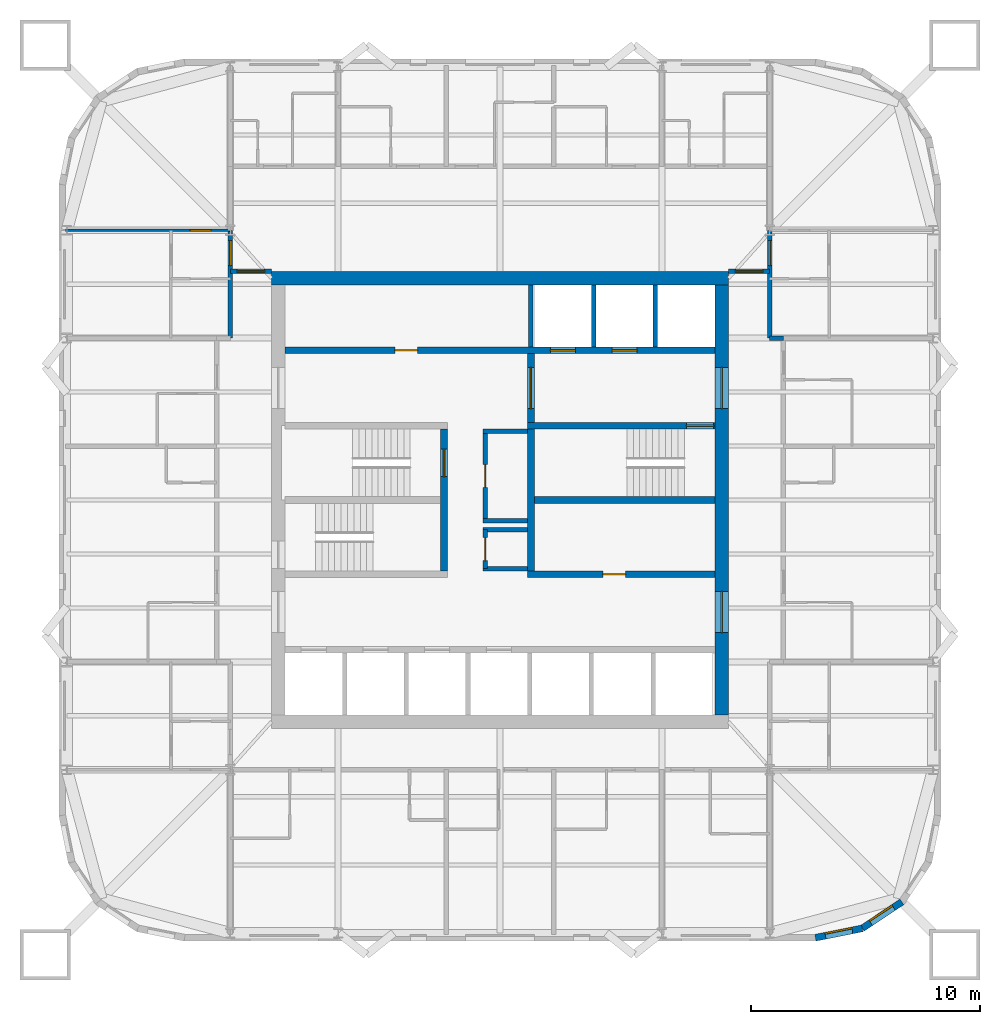
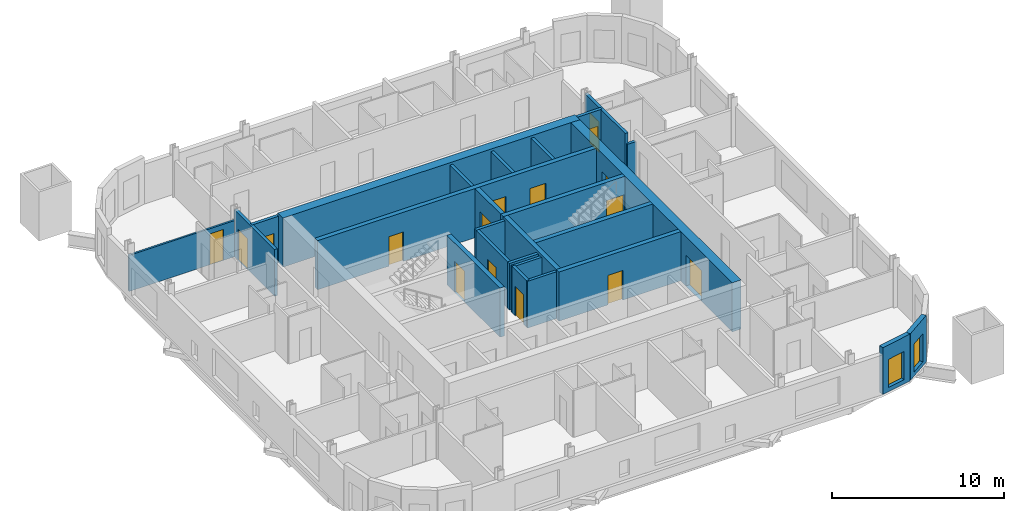
# One storey, part 5 of 9: 25 walls, 16 doors, 2 windows, 18 openings.
"""IFC4 building model written with IfcOpenShell, lengths in metres."""

from ifc_helpers import new_model, si_unit, direction, frame, frame_2d, origin, place, context, subcontext, project, spatial, rectangle, extrude, material, layer, layer_set, type_object, element, fill, save


model = new_model("IFC4")

# Units and contexts
model_context = context("Model", 3, precision=1e-05, world=origin(), true_north=direction((0.0, 1.0)))
body_context = subcontext(model_context, "Body", "Model", "MODEL_VIEW")
ifc_project = project(units=[si_unit("LENGTHUNIT", "METRE"), si_unit("AREAUNIT", "SQUARE_METRE"), si_unit("VOLUMEUNIT", "CUBIC_METRE"), si_unit("PLANEANGLEUNIT", "RADIAN"), si_unit("MASSUNIT", "GRAM", prefix="KILO")], contexts=[model_context])

# Site, building, storey
site_placement = place(None, origin())
site = spatial("IfcSite", under=ifc_project, at=site_placement, CompositionType="ELEMENT")
building_placement = place(site_placement, origin())
building = spatial("IfcBuilding", under=site, at=building_placement, Name="Turquesa Mirador Hotel Tower", CompositionType="ELEMENT")
storey_placement = place(building_placement, frame((0.0, 0.0, 182.800048828125)))
storey = spatial("IfcBuildingStorey", under=building, at=storey_placement, Name="L49", CompositionType="ELEMENT", Elevation=182.800048828125)

# Wall, openings, doors
ifc_material_1 = material(Name="Concrete C50/60", Category="concrete")
ifc_layer_1 = layer(ifc_material_1, 0.300048828125)
ifc_layer_set_1 = layer_set([ifc_layer_1], Name="CORE INNER WALL 300")
wall_type_1 = type_object("IfcWallType", Name="CORE INNER WALL 300", PredefinedType="SHEAR", material=ifc_layer_set_1)
wall_1_placement = place(storey_placement, frame((45.60009765625, 51.550048828125, 0.0), z_axis=(0.0, 0.0, 1.0), x_axis=(1.0, 0.0, 0.0)))
wall_1 = element("IfcWall", 1, at=wall_1_placement, inside=storey, type_object=wall_type_1, Name="Core wall NL", PredefinedType="SHEAR", context=body_context, shape_type="SweptSolid", body=[
    extrude(rectangle(XDim=18.7998046875, YDim=0.300048828125, at=frame_2d((9.39990234375, 0.0))), origin(), (0.0, 0.0, 1.0), 3.5),
])
opening_1_placement = place(wall_1_placement, frame((4.800048828125, 0.0, 0.0)))
opening_1 = element("IfcOpeningElement", 2, at=opening_1_placement, cuts=wall_1, Name="Opening D05", PredefinedType="OPENING", context=body_context, shape_type="SweptSolid", body=[
    extrude(rectangle(XDim=1.0, YDim=2.10009765625, at=frame_2d((0.5, 1.050048828125))), frame((0.0, 0.159912109375, 0.0), z_axis=(0.0, -1.0, 0.0), x_axis=(1.0, 0.0, 0.0)), (0.0, 0.0, 1.0), 0.320068359375),
])
opening_2_placement = place(wall_1_placement, frame((11.60009765625, 0.0, 0.0)))
opening_2 = element("IfcOpeningElement", 3, at=opening_2_placement, cuts=wall_1, Name="Opening LD", PredefinedType="OPENING", context=body_context, shape_type="SweptSolid", body=[
    extrude(rectangle(XDim=1.10009765625, YDim=2.199951171875, at=frame_2d((0.550048828125, 1.10009765625))), frame((0.0, 0.159912109375, 0.0), z_axis=(0.0, -1.0, 0.0), x_axis=(1.0, 0.0, 0.0)), (0.0, 0.0, 1.0), 0.320068359375),
])
opening_3_placement = place(wall_1_placement, frame((14.300048828125, 0.0, 0.0)))
opening_3 = element("IfcOpeningElement", 4, at=opening_3_placement, cuts=wall_1, Name="Opening LD", PredefinedType="OPENING", context=body_context, shape_type="SweptSolid", body=[
    extrude(rectangle(XDim=1.10009765625, YDim=2.199951171875, at=frame_2d((0.550048828125, 1.10009765625))), frame((0.0, 0.159912109375, 0.0), z_axis=(0.0, -1.0, 0.0), x_axis=(1.0, 0.0, 0.0)), (0.0, 0.0, 1.0), 0.320068359375),
])
ifc_material_2 = material(Name="Steel fire door", Category="steel")
door_type_1 = type_object("IfcDoorType", Name="DOOR 1000X2100 SERVICE", OperationType="SINGLE_SWING_LEFT", PredefinedType="DOOR", material=ifc_material_2)
door_1_placement = place(opening_1_placement, origin())
door_1 = element("IfcDoor", 5, at=door_1_placement, inside=storey, type_object=door_type_1, Name="Linen store door", OperationType="SINGLE_SWING_LEFT", OverallHeight=2.10009765625, OverallWidth=1.0, PredefinedType="DOOR", context=body_context, shape_type="SweptSolid", body=[
    extrude(rectangle(XDim=1.0, YDim=2.10009765625, at=frame_2d((0.5, 1.050048828125))), frame((0.0, 0.02490234375, 0.0), z_axis=(0.0, -1.0, 0.0), x_axis=(1.0, 0.0, 0.0)), (0.0, 0.0, 1.0), 0.050048828125),
])
fill(opening_1, door_1)
ifc_material_3 = material(Name="Stainless steel lift landing door", Category="steel")
door_type_2 = type_object("IfcDoorType", Name="LIFT LANDING DOOR 1100X2200", OperationType="SLIDING_TO_LEFT", PredefinedType="DOOR", material=ifc_material_3)
door_2_placement = place(opening_2_placement, origin())
door_2 = element("IfcDoor", 6, at=door_2_placement, inside=storey, type_object=door_type_2, Name="Lift S1 landing door", OperationType="SLIDING_TO_LEFT", OverallHeight=2.199951171875, OverallWidth=1.10009765625, PredefinedType="DOOR", context=body_context, shape_type="SweptSolid", body=[
    extrude(rectangle(XDim=1.10009765625, YDim=2.199951171875, at=frame_2d((0.550048828125, 1.10009765625))), frame((0.0, 0.02490234375, 0.0), z_axis=(0.0, -1.0, 0.0), x_axis=(1.0, 0.0, 0.0)), (0.0, 0.0, 1.0), 0.050048828125),
])
fill(opening_2, door_2)
door_3_placement = place(opening_3_placement, origin())
door_3 = element("IfcDoor", 7, at=door_3_placement, inside=storey, type_object=door_type_2, Name="Lift S2 landing door", OperationType="SLIDING_TO_LEFT", OverallHeight=2.199951171875, OverallWidth=1.10009765625, PredefinedType="DOOR", context=body_context, shape_type="SweptSolid", body=[
    extrude(rectangle(XDim=1.10009765625, YDim=2.199951171875, at=frame_2d((0.550048828125, 1.10009765625))), frame((0.0, 0.02490234375, 0.0), z_axis=(0.0, -1.0, 0.0), x_axis=(1.0, 0.0, 0.0)), (0.0, 0.0, 1.0), 0.050048828125),
])
fill(opening_3, door_3)

# Wall, opening, door
wall_2_placement = place(storey_placement, frame((56.199951171875, 48.25, 0.0), z_axis=(0.0, 0.0, 1.0), x_axis=(1.0, 0.0, 0.0)))
wall_2 = element("IfcWall", 8, at=wall_2_placement, inside=storey, type_object=wall_type_1, Name="Core wall MN-E", PredefinedType="SHEAR", context=body_context, shape_type="SweptSolid", body=[
    extrude(rectangle(XDim=8.199951171875, YDim=0.300048828125, at=frame_2d((4.10009765625, 0.0))), origin(), (0.0, 0.0, 1.0), 3.5),
])
opening_4_placement = place(wall_2_placement, frame((6.949951171875, 0.0, 0.0)))
opening_4 = element("IfcOpeningElement", 9, at=opening_4_placement, cuts=wall_2, Name="Opening D03", PredefinedType="OPENING", context=body_context, shape_type="SweptSolid", body=[
    extrude(rectangle(XDim=1.199951171875, YDim=2.199951171875, at=frame_2d((0.60009765625, 1.10009765625))), frame((0.0, 0.159912109375, 0.0), z_axis=(0.0, -1.0, 0.0), x_axis=(1.0, 0.0, 0.0)), (0.0, 0.0, 1.0), 0.320068359375),
])
ifc_material_4 = material(Name="Steel fire door", Category="steel")
door_type_3 = type_object("IfcDoorType", Name="DOOR 1200X2200 STAIR", OperationType="SINGLE_SWING_LEFT", PredefinedType="DOOR", material=ifc_material_4)
door_4_placement = place(opening_4_placement, origin())
door_4 = element("IfcDoor", 10, at=door_4_placement, inside=storey, type_object=door_type_3, Name="Stair ST3 door", OperationType="SINGLE_SWING_LEFT", OverallHeight=2.199951171875, OverallWidth=1.199951171875, PredefinedType="DOOR", context=body_context, shape_type="SweptSolid", body=[
    extrude(rectangle(XDim=1.199951171875, YDim=2.199951171875, at=frame_2d((0.60009765625, 1.10009765625))), frame((0.0, 0.02490234375, 0.0), z_axis=(0.0, -1.0, 0.0), x_axis=(1.0, 0.0, 0.0)), (0.0, 0.0, 1.0), 0.050048828125),
])
fill(opening_4, door_4)

wall_3_placement = place(storey_placement, frame((56.199951171875, 41.75, 0.0), z_axis=(0.0, 0.0, 1.0), x_axis=(1.0, 0.0, 0.0)))
wall_3 = element("IfcWall", 11, at=wall_3_placement, inside=storey, type_object=wall_type_1, Name="Core wall MS-E", PredefinedType="SHEAR", context=body_context, shape_type="SweptSolid", body=[
    extrude(rectangle(XDim=8.199951171875, YDim=0.300048828125, at=frame_2d((4.10009765625, 0.0))), origin(), (0.0, 0.0, 1.0), 3.5),
])
opening_5_placement = place(wall_3_placement, frame((3.300048828125, 0.0, 0.0)))
opening_5 = element("IfcOpeningElement", 12, at=opening_5_placement, cuts=wall_3, Name="Opening D05", PredefinedType="OPENING", context=body_context, shape_type="SweptSolid", body=[
    extrude(rectangle(XDim=1.0, YDim=2.10009765625, at=frame_2d((0.5, 1.050048828125))), frame((0.0, 0.159912109375, 0.0), z_axis=(0.0, -1.0, 0.0), x_axis=(1.0, 0.0, 0.0)), (0.0, 0.0, 1.0), 0.320068359375),
])
door_5_placement = place(opening_5_placement, origin())
door_5 = element("IfcDoor", 13, at=door_5_placement, inside=storey, type_object=door_type_1, Name="Housekeeping room door", OperationType="SINGLE_SWING_LEFT", OverallHeight=2.10009765625, OverallWidth=1.0, PredefinedType="DOOR", context=body_context, shape_type="SweptSolid", body=[
    extrude(rectangle(XDim=1.0, YDim=2.10009765625, at=frame_2d((0.5, 1.050048828125))), frame((0.0, 0.02490234375, 0.0), z_axis=(0.0, -1.0, 0.0), x_axis=(1.0, 0.0, 0.0)), (0.0, 0.0, 1.0), 0.050048828125),
])
fill(opening_5, door_5)

wall_4_placement = place(storey_placement, frame((52.550048828125, 41.89990234375, 0.0), z_axis=(0.0, 0.0, 1.0), x_axis=(0.0, 1.0, 0.0)))
wall_4 = element("IfcWall", 14, at=wall_4_placement, inside=storey, type_object=wall_type_1, Name="Core wall PW", PredefinedType="SHEAR", context=body_context, shape_type="SweptSolid", body=[
    extrude(rectangle(XDim=6.2001953125, YDim=0.300048828125, at=frame_2d((3.10009765625, 0.0))), origin(), (0.0, 0.0, 1.0), 3.5),
])
opening_6_placement = place(wall_4_placement, frame((4.125, 0.0, 0.0)))
opening_6 = element("IfcOpeningElement", 15, at=opening_6_placement, cuts=wall_4, Name="Opening D03", PredefinedType="OPENING", context=body_context, shape_type="SweptSolid", body=[
    extrude(rectangle(XDim=1.199951171875, YDim=2.199951171875, at=frame_2d((0.60009765625, 1.10009765625))), frame((0.0, 0.159912109375, 0.0), z_axis=(0.0, -1.0, 0.0), x_axis=(1.0, 0.0, 0.0)), (0.0, 0.0, 1.0), 0.320068359375),
])
door_6_placement = place(opening_6_placement, origin())
door_6 = element("IfcDoor", 16, at=door_6_placement, inside=storey, type_object=door_type_3, Name="Stair ST1 door", OperationType="SINGLE_SWING_LEFT", OverallHeight=2.199951171875, OverallWidth=1.199951171875, PredefinedType="DOOR", context=body_context, shape_type="SweptSolid", body=[
    extrude(rectangle(XDim=1.199951171875, YDim=2.199951171875, at=frame_2d((0.60009765625, 1.10009765625))), frame((0.0, 0.02490234375, 0.0), z_axis=(0.0, -1.0, 0.0), x_axis=(1.0, 0.0, 0.0)), (0.0, 0.0, 1.0), 0.050048828125),
])
fill(opening_6, door_6)

wall_5_placement = place(storey_placement, frame((56.35009765625, 41.89990234375, 0.0), z_axis=(0.0, 0.0, 1.0), x_axis=(0.0, 1.0, 0.0)))
wall_5 = element("IfcWall", 17, at=wall_5_placement, inside=storey, type_object=wall_type_1, Name="Core wall PE", PredefinedType="SHEAR", context=body_context, shape_type="SweptSolid", body=[
    extrude(rectangle(XDim=9.5, YDim=0.300048828125, at=frame_2d((4.75, 0.0))), origin(), (0.0, 0.0, 1.0), 3.5),
])
opening_7_placement = place(wall_5_placement, frame((7.10009765625, 0.0, 0.0)))
opening_7 = element("IfcOpeningElement", 18, at=opening_7_placement, cuts=wall_5, Name="Opening D04", PredefinedType="OPENING", context=body_context, shape_type="SweptSolid", body=[
    extrude(rectangle(XDim=1.800048828125, YDim=2.199951171875, at=frame_2d((0.89990234375, 1.10009765625))), frame((0.0, 0.159912109375, 0.0), z_axis=(0.0, -1.0, 0.0), x_axis=(1.0, 0.0, 0.0)), (0.0, 0.0, 1.0), 0.320068359375),
])
ifc_material_5 = material(Name="Steel fire door pair", Category="steel")
door_type_4 = type_object("IfcDoorType", Name="DOOR 1800X2200 PAIR", OperationType="DOUBLE_DOOR_SINGLE_SWING", PredefinedType="DOOR", material=ifc_material_5)
door_7_placement = place(opening_7_placement, origin())
door_7 = element("IfcDoor", 19, at=door_7_placement, inside=storey, type_object=door_type_4, Name="Firefighting lobby inner door", OperationType="DOUBLE_DOOR_SINGLE_SWING", OverallHeight=2.199951171875, OverallWidth=1.800048828125, PredefinedType="DOOR", context=body_context, shape_type="SweptSolid", body=[
    extrude(rectangle(XDim=1.800048828125, YDim=2.199951171875, at=frame_2d((0.89990234375, 1.10009765625))), frame((0.0, 0.02490234375, 0.0), z_axis=(0.0, -1.0, 0.0), x_axis=(1.0, 0.0, 0.0)), (0.0, 0.0, 1.0), 0.050048828125),
])
fill(opening_7, door_7)

# Walls
wall_6_placement = place(storey_placement, frame((56.5, 45.0, 0.0), z_axis=(0.0, 0.0, 1.0), x_axis=(1.0, 0.0, 0.0)))
element("IfcWall", 20, at=wall_6_placement, inside=storey, type_object=wall_type_1, Name="Core wall M0-E", PredefinedType="SHEAR", context=body_context, shape_type="SweptSolid", body=[
    extrude(rectangle(XDim=7.89990234375, YDim=0.300048828125, at=frame_2d((3.949951171875, 0.0))), origin(), (0.0, 0.0, 1.0), 3.5),
])
ifc_material_6 = material(Name="Concrete C50/60", Category="concrete")
ifc_layer_2 = layer(ifc_material_6, 0.60009765625)
ifc_layer_set_2 = layer_set([ifc_layer_2], Name="CORE WALL 600")
wall_type_2 = type_object("IfcWallType", Name="CORE WALL 600", PredefinedType="SHEAR", material=ifc_layer_set_2)
wall_7_placement = place(storey_placement, frame((45.0, 54.699951171875, 0.0), z_axis=(0.0, 0.0, 1.0), x_axis=(1.0, 0.0, 0.0)))
element("IfcWall", 21, at=wall_7_placement, inside=storey, type_object=wall_type_2, Name="Core wall N", PredefinedType="SHEAR", context=body_context, shape_type="SweptSolid", body=[
    extrude(rectangle(XDim=20.0, YDim=0.60009765625, at=frame_2d((10.0, 0.0))), origin(), (0.0, 0.0, 1.0), 3.5),
])

# Wall, openings, doors
wall_8_placement = place(storey_placement, frame((64.699951171875, 35.60009765625, 0.0), z_axis=(0.0, 0.0, 1.0), x_axis=(0.0, 1.0, 0.0)))
wall_8 = element("IfcWall", 22, at=wall_8_placement, inside=storey, type_object=wall_type_2, Name="Core wall E", PredefinedType="SHEAR", context=body_context, shape_type="SweptSolid", body=[
    extrude(rectangle(XDim=18.7998046875, YDim=0.60009765625, at=frame_2d((9.39990234375, 0.0))), origin(), (0.0, 0.0, 1.0), 3.5),
])
opening_8_placement = place(wall_8_placement, frame((13.39990234375, 0.0, 0.0)))
opening_8 = element("IfcOpeningElement", 23, at=opening_8_placement, cuts=wall_8, Name="Opening D04", PredefinedType="OPENING", context=body_context, shape_type="SweptSolid", body=[
    extrude(rectangle(XDim=1.800048828125, YDim=2.199951171875, at=frame_2d((0.89990234375, 1.10009765625))), frame((0.0, 0.31005859375, 0.0), z_axis=(0.0, -1.0, 0.0), x_axis=(1.0, 0.0, 0.0)), (0.0, 0.0, 1.0), 0.6201171875),
])
opening_9_placement = place(wall_8_placement, frame((3.60009765625, 0.0, 0.0)))
opening_9 = element("IfcOpeningElement", 24, at=opening_9_placement, cuts=wall_8, Name="Opening D04", PredefinedType="OPENING", context=body_context, shape_type="SweptSolid", body=[
    extrude(rectangle(XDim=1.800048828125, YDim=2.199951171875, at=frame_2d((0.89990234375, 1.10009765625))), frame((0.0, 0.31005859375, 0.0), z_axis=(0.0, -1.0, 0.0), x_axis=(1.0, 0.0, 0.0)), (0.0, 0.0, 1.0), 0.6201171875),
])
door_8_placement = place(opening_8_placement, origin())
door_8 = element("IfcDoor", 25, at=door_8_placement, inside=storey, type_object=door_type_4, Name="Firefighting lobby door", OperationType="DOUBLE_DOOR_SINGLE_SWING", OverallHeight=2.199951171875, OverallWidth=1.800048828125, PredefinedType="DOOR", context=body_context, shape_type="SweptSolid", body=[
    extrude(rectangle(XDim=1.800048828125, YDim=2.199951171875, at=frame_2d((0.89990234375, 1.10009765625))), frame((0.0, 0.02490234375, 0.0), z_axis=(0.0, -1.0, 0.0), x_axis=(1.0, 0.0, 0.0)), (0.0, 0.0, 1.0), 0.050048828125),
])
fill(opening_8, door_8)
door_9_placement = place(opening_9_placement, origin())
door_9 = element("IfcDoor", 26, at=door_9_placement, inside=storey, type_object=door_type_4, Name="South lift lobby door", OperationType="DOUBLE_DOOR_SINGLE_SWING", OverallHeight=2.199951171875, OverallWidth=1.800048828125, PredefinedType="DOOR", context=body_context, shape_type="SweptSolid", body=[
    extrude(rectangle(XDim=1.800048828125, YDim=2.199951171875, at=frame_2d((0.89990234375, 1.10009765625))), frame((0.0, 0.02490234375, 0.0), z_axis=(0.0, -1.0, 0.0), x_axis=(1.0, 0.0, 0.0)), (0.0, 0.0, 1.0), 0.050048828125),
])
fill(opening_9, door_9)

# Wall, opening, door
ifc_material_7 = material(Name="Fire-rated gypsum board on steel studs", Category="steel")
ifc_layer_3 = layer(ifc_material_7, 0.199951171875)
ifc_layer_set_3 = layer_set([ifc_layer_3], Name="CORRIDOR WALL 200")
wall_type_3 = type_object("IfcWallType", Name="CORRIDOR WALL 200", PredefinedType="PARTITIONING", material=ifc_layer_set_3)
wall_9_placement = place(storey_placement, frame((43.199951171875, 55.0, 0.0), z_axis=(0.0, 0.0, 1.0), x_axis=(1.0, 0.0, 0.0)))
wall_9 = element("IfcWall", 27, at=wall_9_placement, inside=storey, type_object=wall_type_3, Name="Partition L49 019", PredefinedType="PARTITIONING", context=body_context, shape_type="SweptSolid", body=[
    extrude(rectangle(XDim=1.800048828125, YDim=0.199951171875, at=frame_2d((0.89990234375, 0.0))), origin(), (0.0, 0.0, 1.0), 3.329833984375),
])
opening_10_placement = place(wall_9_placement, frame((0.300048828125, 0.0, 0.0)))
opening_10 = element("IfcOpeningElement", 28, at=opening_10_placement, cuts=wall_9, Name="Opening D19", PredefinedType="OPENING", context=body_context, shape_type="SweptSolid", body=[
    extrude(rectangle(XDim=1.199951171875, YDim=2.199951171875, at=frame_2d((0.60009765625, 1.10009765625))), frame((0.0, 0.10986328125, 0.0), z_axis=(0.0, -1.0, 0.0), x_axis=(1.0, 0.0, 0.0)), (0.0, 0.0, 1.0), 0.219970703125),
])
ifc_material_8 = material(Name="Steel glazed fire door", Category="steel")
door_type_5 = type_object("IfcDoorType", Name="DOOR 1200X2200 FIRE DOOR GLAZED", OperationType="SINGLE_SWING_LEFT", PredefinedType="DOOR", material=ifc_material_8)
door_10_placement = place(opening_10_placement, origin())
door_10 = element("IfcDoor", 29, at=door_10_placement, inside=storey, type_object=door_type_5, Name="Door L49-C03", OperationType="SINGLE_SWING_LEFT", OverallHeight=2.199951171875, OverallWidth=1.199951171875, PredefinedType="DOOR", context=body_context, shape_type="SweptSolid", body=[
    extrude(rectangle(XDim=1.199951171875, YDim=2.199951171875, at=frame_2d((0.60009765625, 1.10009765625))), frame((0.0, 0.02490234375, 0.0), z_axis=(0.0, -1.0, 0.0), x_axis=(1.0, 0.0, 0.0)), (0.0, 0.0, 1.0), 0.050048828125),
])
fill(opening_10, door_10)

wall_10_placement = place(storey_placement, frame((65.0, 55.0, 0.0), z_axis=(0.0, 0.0, 1.0), x_axis=(1.0, 0.0, 0.0)))
wall_10 = element("IfcWall", 30, at=wall_10_placement, inside=storey, type_object=wall_type_3, Name="Partition L49 020", PredefinedType="PARTITIONING", context=body_context, shape_type="SweptSolid", body=[
    extrude(rectangle(XDim=1.800048828125, YDim=0.199951171875, at=frame_2d((0.89990234375, 0.0))), origin(), (0.0, 0.0, 1.0), 3.329833984375),
])
opening_11_placement = place(wall_10_placement, frame((0.300048828125, 0.0, 0.0)))
opening_11 = element("IfcOpeningElement", 31, at=opening_11_placement, cuts=wall_10, Name="Opening D19", PredefinedType="OPENING", context=body_context, shape_type="SweptSolid", body=[
    extrude(rectangle(XDim=1.199951171875, YDim=2.199951171875, at=frame_2d((0.60009765625, 1.10009765625))), frame((0.0, 0.10986328125, 0.0), z_axis=(0.0, -1.0, 0.0), x_axis=(1.0, 0.0, 0.0)), (0.0, 0.0, 1.0), 0.219970703125),
])
door_11_placement = place(opening_11_placement, origin())
door_11 = element("IfcDoor", 32, at=door_11_placement, inside=storey, type_object=door_type_5, Name="Door L49-C03-1", OperationType="SINGLE_SWING_LEFT", OverallHeight=2.199951171875, OverallWidth=1.199951171875, PredefinedType="DOOR", context=body_context, shape_type="SweptSolid", body=[
    extrude(rectangle(XDim=1.199951171875, YDim=2.199951171875, at=frame_2d((0.60009765625, 1.10009765625))), frame((0.0, 0.02490234375, 0.0), z_axis=(0.0, -1.0, 0.0), x_axis=(1.0, 0.0, 0.0)), (0.0, 0.0, 1.0), 0.050048828125),
])
fill(opening_11, door_11)

# Wall
wall_11_placement = place(storey_placement, frame((66.800048828125, 52.080078125, 0.0), z_axis=(0.0, 0.0, 1.0), x_axis=(1.0, 0.0, 0.0)))
element("IfcWall", 33, at=wall_11_placement, inside=storey, type_object=wall_type_3, Name="Partition L49 036", PredefinedType="PARTITIONING", context=body_context, shape_type="SweptSolid", body=[
    extrude(rectangle(XDim=0.599853515625, YDim=0.199951171875, at=frame_2d((0.2998046875, 0.0))), origin(), (0.0, 0.0, 1.0), 2.572998046875),
])

# Wall, opening, door
wall_12_placement = place(storey_placement, frame((43.199951171875, 52.080078125, 0.0), z_axis=(0.0, 0.0, 1.0), x_axis=(0.0, 1.0, 0.0)))
wall_12 = element("IfcWall", 34, at=wall_12_placement, inside=storey, type_object=wall_type_3, Name="Partition L49 045", PredefinedType="PARTITIONING", context=body_context, shape_type="SweptSolid", body=[
    extrude(rectangle(XDim=4.699951171875, YDim=0.199951171875, at=frame_2d((2.35009765625, 0.0))), origin(), (0.0, 0.0, 1.0), 3.329833984375),
])
opening_12_placement = place(wall_12_placement, frame((3.169921875, 0.0, 0.0)))
opening_12 = element("IfcOpeningElement", 35, at=opening_12_placement, cuts=wall_12, Name="Opening D15", PredefinedType="OPENING", context=body_context, shape_type="SweptSolid", body=[
    extrude(rectangle(XDim=1.10009765625, YDim=2.199951171875, at=frame_2d((0.550048828125, 1.10009765625))), frame((0.0, 0.10986328125, 0.0), z_axis=(0.0, -1.0, 0.0), x_axis=(1.0, 0.0, 0.0)), (0.0, 0.0, 1.0), 0.219970703125),
])
ifc_material_9 = material(Name="Timber veneered fire door", Category="wood")
door_type_6 = type_object("IfcDoorType", Name="DOOR 1100X2200 SUITE ENTRY", OperationType="SINGLE_SWING_LEFT", PredefinedType="DOOR", material=ifc_material_9)
door_12_placement = place(opening_12_placement, origin())
door_12 = element("IfcDoor", 36, at=door_12_placement, inside=storey, type_object=door_type_6, Name="Door 4915H", OperationType="SINGLE_SWING_LEFT", OverallHeight=2.199951171875, OverallWidth=1.10009765625, PredefinedType="DOOR", context=body_context, shape_type="SweptSolid", body=[
    extrude(rectangle(XDim=1.10009765625, YDim=2.199951171875, at=frame_2d((0.550048828125, 1.10009765625))), frame((0.0, 0.02490234375, 0.0), z_axis=(0.0, -1.0, 0.0), x_axis=(1.0, 0.0, 0.0)), (0.0, 0.0, 1.0), 0.050048828125),
])
fill(opening_12, door_12)

wall_13_placement = place(storey_placement, frame((66.800048828125, 52.080078125, 0.0), z_axis=(0.0, 0.0, 1.0), x_axis=(0.0, 1.0, 0.0)))
wall_13 = element("IfcWall", 37, at=wall_13_placement, inside=storey, type_object=wall_type_3, Name="Partition L49 064", PredefinedType="PARTITIONING", context=body_context, shape_type="SweptSolid", body=[
    extrude(rectangle(XDim=4.699951171875, YDim=0.199951171875, at=frame_2d((2.35009765625, 0.0))), origin(), (0.0, 0.0, 1.0), 3.329833984375),
])
opening_13_placement = place(wall_13_placement, frame((3.169921875, 0.0, 0.0)))
opening_13 = element("IfcOpeningElement", 38, at=opening_13_placement, cuts=wall_13, Name="Opening D15", PredefinedType="OPENING", context=body_context, shape_type="SweptSolid", body=[
    extrude(rectangle(XDim=1.10009765625, YDim=2.199951171875, at=frame_2d((0.550048828125, 1.10009765625))), frame((0.0, 0.10986328125, 0.0), z_axis=(0.0, -1.0, 0.0), x_axis=(1.0, 0.0, 0.0)), (0.0, 0.0, 1.0), 0.219970703125),
])
door_13_placement = place(opening_13_placement, origin())
door_13 = element("IfcDoor", 39, at=door_13_placement, inside=storey, type_object=door_type_6, Name="Door 4914H", OperationType="SINGLE_SWING_LEFT", OverallHeight=2.199951171875, OverallWidth=1.10009765625, PredefinedType="DOOR", context=body_context, shape_type="SweptSolid", body=[
    extrude(rectangle(XDim=1.10009765625, YDim=2.199951171875, at=frame_2d((0.550048828125, 1.10009765625))), frame((0.0, 0.02490234375, 0.0), z_axis=(0.0, -1.0, 0.0), x_axis=(1.0, 0.0, 0.0)), (0.0, 0.0, 1.0), 0.050048828125),
])
fill(opening_13, door_13)

# Wall, opening, window
ifc_material_10 = material(Name="Limestone cladding on concrete block", Category="masonry")
ifc_layer_4 = layer(ifc_material_10, 0.300048828125)
ifc_layer_set_4 = layer_set([ifc_layer_4], Name="FACADE WALL 300 STONE SCREEN")
wall_type_4 = type_object("IfcWallType", Name="FACADE WALL 300 STONE SCREEN", PredefinedType="SOLIDWALL", material=ifc_layer_set_4)
wall_14_placement = place(storey_placement, frame((68.800048828125, 25.85009765625, 0.0), z_axis=(0.0, 0.0, 1.0), x_axis=(0.980787050784, 0.195081421501, 0.0)))
wall_14 = element("IfcWall", 40, at=wall_14_placement, inside=storey, type_object=wall_type_4, Name="Facade wall L49 00", PredefinedType="SOLIDWALL", context=body_context, shape_type="SweptSolid", body=[
    extrude(rectangle(XDim=2.08740234375, YDim=0.300048828125, at=frame_2d((1.043701171875, 0.0))), origin(), (0.0, 0.0, 1.0), 3.329833984375),
])
opening_14_placement = place(wall_14_placement, frame((0.443603515625, 0.0, 0.300048828125)))
opening_14 = element("IfcOpeningElement", 41, at=opening_14_placement, cuts=wall_14, Name="Opening WN4", PredefinedType="OPENING", context=body_context, shape_type="SweptSolid", body=[
    extrude(rectangle(XDim=1.199951171875, YDim=2.0, at=frame_2d((0.60009765625, 1.0))), frame((0.0, 0.159912109375, 0.0), z_axis=(0.0, -1.0, 0.0), x_axis=(1.0, 0.0, 0.0)), (0.0, 0.0, 1.0), 0.320068359375),
])
ifc_material_11 = material(Name="Ceramic-fritted laminated glass", Category="glass")
window_type = type_object("IfcWindowType", Name="FRITTED CORNER WINDOW 1200X2000", PartitioningType="DOUBLE_PANEL_HORIZONTAL", PredefinedType="WINDOW", material=ifc_material_11)
window_1_placement = place(opening_14_placement, origin())
window_1 = element("IfcWindow", 42, at=window_1_placement, inside=storey, type_object=window_type, Name="Window L49", OverallHeight=2.0, OverallWidth=1.199951171875, PartitioningType="SINGLE_PANEL", PredefinedType="WINDOW", context=body_context, shape_type="SweptSolid", body=[
    extrude(rectangle(XDim=1.199951171875, YDim=2.0, at=frame_2d((0.60009765625, 1.0))), frame((0.0, 0.130126953125, 0.0), z_axis=(0.0, -1.0, 0.0), x_axis=(1.0, 0.0, 0.0)), (0.0, 0.0, 1.0), 0.06005859375),
])
fill(opening_14, window_1)

wall_15_placement = place(storey_placement, frame((70.847412109375, 26.25732421875, 0.0), z_axis=(0.0, 0.0, 1.0), x_axis=(0.831474039234, 0.555563607591, 0.0)))
wall_15 = element("IfcWall", 43, at=wall_15_placement, inside=storey, type_object=wall_type_4, Name="Facade wall L49 01", PredefinedType="SOLIDWALL", context=body_context, shape_type="SweptSolid", body=[
    extrude(rectangle(XDim=2.08740234375, YDim=0.300048828125, at=frame_2d((1.043701171875, 0.0))), origin(), (0.0, 0.0, 1.0), 3.329833984375),
])
opening_15_placement = place(wall_15_placement, frame((0.443603515625, 0.0, 0.300048828125)))
opening_15 = element("IfcOpeningElement", 44, at=opening_15_placement, cuts=wall_15, Name="Opening WN4", PredefinedType="OPENING", context=body_context, shape_type="SweptSolid", body=[
    extrude(rectangle(XDim=1.199951171875, YDim=2.0, at=frame_2d((0.60009765625, 1.0))), frame((0.0, 0.159912109375, 0.0), z_axis=(0.0, -1.0, 0.0), x_axis=(1.0, 0.0, 0.0)), (0.0, 0.0, 1.0), 0.320068359375),
])
window_2_placement = place(opening_15_placement, origin())
window_2 = element("IfcWindow", 45, at=window_2_placement, inside=storey, type_object=window_type, Name="Window L49", OverallHeight=2.0, OverallWidth=1.199951171875, PartitioningType="SINGLE_PANEL", PredefinedType="WINDOW", context=body_context, shape_type="SweptSolid", body=[
    extrude(rectangle(XDim=1.199951171875, YDim=2.0, at=frame_2d((0.60009765625, 1.0))), frame((0.0, 0.130126953125, 0.0), z_axis=(0.0, -1.0, 0.0), x_axis=(1.0, 0.0, 0.0)), (0.0, 0.0, 1.0), 0.06005859375),
])
fill(opening_15, window_2)

# Wall, opening, door
ifc_material_12 = material(Name="Fire-rated gypsum board on steel studs", Category="steel")
ifc_layer_5 = layer(ifc_material_12, 0.199951171875)
ifc_layer_set_5 = layer_set([ifc_layer_5], Name="FIRE PARTITION 200")
wall_type_5 = type_object("IfcWallType", Name="FIRE PARTITION 200", PredefinedType="PARTITIONING", material=ifc_layer_set_5)
wall_16_placement = place(storey_placement, frame((54.35009765625, 42.0, 0.0), z_axis=(0.0, 0.0, 1.0), x_axis=(0.0, 1.0, 0.0)))
wall_16 = element("IfcWall", 46, at=wall_16_placement, inside=storey, type_object=wall_type_5, Name="Partition L49 SW W", PredefinedType="PARTITIONING", context=body_context, shape_type="SweptSolid", body=[
    extrude(rectangle(XDim=1.699951171875, YDim=0.199951171875, at=frame_2d((0.85009765625, 0.0))), origin(), (0.0, 0.0, 1.0), 3.329833984375),
])
opening_16_placement = place(wall_16_placement, frame((0.35009765625, 0.0, 0.0)))
opening_16 = element("IfcOpeningElement", 47, at=opening_16_placement, cuts=wall_16, Name="Opening D05", PredefinedType="OPENING", context=body_context, shape_type="SweptSolid", body=[
    extrude(rectangle(XDim=1.0, YDim=2.10009765625, at=frame_2d((0.5, 1.050048828125))), frame((0.0, 0.10986328125, 0.0), z_axis=(0.0, -1.0, 0.0), x_axis=(1.0, 0.0, 0.0)), (0.0, 0.0, 1.0), 0.219970703125),
])
door_14_placement = place(opening_16_placement, origin())
door_14 = element("IfcDoor", 48, at=door_14_placement, inside=storey, type_object=door_type_1, Name="Staff WC door", OperationType="SINGLE_SWING_LEFT", OverallHeight=2.10009765625, OverallWidth=1.0, PredefinedType="DOOR", context=body_context, shape_type="SweptSolid", body=[
    extrude(rectangle(XDim=1.0, YDim=2.10009765625, at=frame_2d((0.5, 1.050048828125))), frame((0.0, 0.02490234375, 0.0), z_axis=(0.0, -1.0, 0.0), x_axis=(1.0, 0.0, 0.0)), (0.0, 0.0, 1.0), 0.050048828125),
])
fill(opening_16, door_14)

# Walls
for number, where, z_axis, x_axis, name in (
    (49, (54.25, 42.0, 0.0), (0.0, 0.0, 1.0), (1.0, 0.0, 0.0), "Partition L49 SW S"),
    (50, (54.25, 43.699951171875, 0.0), (0.0, 0.0, 1.0), (1.0, 0.0, 0.0), "Partition L49 SW N"),
):
    element("IfcWall", number, at=place(storey_placement, frame(where, z_axis=z_axis, x_axis=x_axis)), inside=storey, type_object=wall_type_5, Name=name, PredefinedType="PARTITIONING", context=body_context, shape_type="SweptSolid", body=[
        extrude(rectangle(XDim=1.949951171875, YDim=0.199951171875, at=frame_2d((0.97509765625, 0.0))), origin(), (0.0, 0.0, 1.0), 3.329833984375),
    ])

# Wall, opening, door
wall_17_placement = place(storey_placement, frame((54.35009765625, 44.10009765625, 0.0), z_axis=(0.0, 0.0, 1.0), x_axis=(0.0, 1.0, 0.0)))
wall_17 = element("IfcWall", 51, at=wall_17_placement, inside=storey, type_object=wall_type_5, Name="Partition L49 LG W", PredefinedType="PARTITIONING", context=body_context, shape_type="SweptSolid", body=[
    extrude(rectangle(XDim=3.89990234375, YDim=0.199951171875, at=frame_2d((1.949951171875, 0.0))), origin(), (0.0, 0.0, 1.0), 3.329833984375),
])
opening_17_placement = place(wall_17_placement, frame((1.449951171875, 0.0, 0.0)))
opening_17 = element("IfcOpeningElement", 52, at=opening_17_placement, cuts=wall_17, Name="Opening D05", PredefinedType="OPENING", context=body_context, shape_type="SweptSolid", body=[
    extrude(rectangle(XDim=1.0, YDim=2.10009765625, at=frame_2d((0.5, 1.050048828125))), frame((0.0, 0.10986328125, 0.0), z_axis=(0.0, -1.0, 0.0), x_axis=(1.0, 0.0, 0.0)), (0.0, 0.0, 1.0), 0.219970703125),
])
door_15_placement = place(opening_17_placement, origin())
door_15 = element("IfcDoor", 53, at=door_15_placement, inside=storey, type_object=door_type_1, Name="Luggage room door", OperationType="SINGLE_SWING_LEFT", OverallHeight=2.10009765625, OverallWidth=1.0, PredefinedType="DOOR", context=body_context, shape_type="SweptSolid", body=[
    extrude(rectangle(XDim=1.0, YDim=2.10009765625, at=frame_2d((0.5, 1.050048828125))), frame((0.0, 0.02490234375, 0.0), z_axis=(0.0, -1.0, 0.0), x_axis=(1.0, 0.0, 0.0)), (0.0, 0.0, 1.0), 0.050048828125),
])
fill(opening_17, door_15)

# Walls
for number, where, z_axis, x_axis, name in (
    (54, (54.25, 44.10009765625, 0.0), (0.0, 0.0, 1.0), (1.0, 0.0, 0.0), "Partition L49 LG S"),
    (55, (54.25, 48.0, 0.0), (0.0, 0.0, 1.0), (1.0, 0.0, 0.0), "Partition L49 LG N"),
):
    element("IfcWall", number, at=place(storey_placement, frame(where, z_axis=z_axis, x_axis=x_axis)), inside=storey, type_object=wall_type_5, Name=name, PredefinedType="PARTITIONING", context=body_context, shape_type="SweptSolid", body=[
        extrude(rectangle(XDim=1.949951171875, YDim=0.199951171875, at=frame_2d((0.97509765625, 0.0))), origin(), (0.0, 0.0, 1.0), 3.329833984375),
    ])
ifc_material_13 = material(Name="Fire-rated gypsum shaft wall on steel studs", Category="steel")
ifc_layer_6 = layer(ifc_material_13, 0.199951171875)
ifc_layer_set_6 = layer_set([ifc_layer_6], Name="LIFT SHAFT DIVIDER 200")
wall_type_6 = type_object("IfcWallType", Name="LIFT SHAFT DIVIDER 200", PredefinedType="PARTITIONING", material=ifc_layer_set_6)
for number, where, z_axis, x_axis, name in (
    (56, (59.10009765625, 51.699951171875, 0.0), (0.0, 0.0, 1.0), (0.0, 1.0, 0.0), "Lift shaft divider"),
    (57, (61.800048828125, 51.699951171875, 0.0), (0.0, 0.0, 1.0), (0.0, 1.0, 0.0), "Lift shaft divider"),
    (58, (56.35009765625, 51.699951171875, 0.0), (0.0, 0.0, 1.0), (0.0, 1.0, 0.0), "Lift shaft divider"),
):
    element("IfcWall", number, at=place(storey_placement, frame(where, z_axis=z_axis, x_axis=x_axis)), inside=storey, type_object=wall_type_6, Name=name, PredefinedType="PARTITIONING", context=body_context, shape_type="SweptSolid", body=[
        extrude(rectangle(XDim=2.699951171875, YDim=0.199951171875, at=frame_2d((1.35009765625, 0.0))), origin(), (0.0, 0.0, 1.0), 3.329833984375),
    ])

# Wall, opening, door
ifc_material_14 = material(Name="Acoustic gypsum board on steel studs", Category="steel")
ifc_layer_7 = layer(ifc_material_14, 0.125)
ifc_layer_set_7 = layer_set([ifc_layer_7], Name="SUITE PARTITION 125")
wall_type_7 = type_object("IfcWallType", Name="SUITE PARTITION 125", PredefinedType="PARTITIONING", material=ifc_layer_set_7)
wall_18_placement = place(storey_placement, frame((36.0, 56.800048828125, 0.0), z_axis=(0.0, 0.0, 1.0), x_axis=(1.0, 0.0, 0.0)))
wall_18 = element("IfcWall", 59, at=wall_18_placement, inside=storey, type_object=wall_type_7, Name="Partition L49 021", PredefinedType="PARTITIONING", context=body_context, shape_type="SweptSolid", body=[
    extrude(rectangle(XDim=7.199951171875, YDim=0.125, at=frame_2d((3.60009765625, 0.0))), origin(), (0.0, 0.0, 1.0), 2.572998046875),
])
opening_18_placement = place(wall_18_placement, frame((5.449951171875, 0.0, 0.0)))
opening_18 = element("IfcOpeningElement", 60, at=opening_18_placement, cuts=wall_18, Name="Opening D17", PredefinedType="OPENING", context=body_context, shape_type="SweptSolid", body=[
    extrude(rectangle(XDim=0.89990234375, YDim=2.199951171875, at=frame_2d((0.449951171875, 1.10009765625))), frame((0.0, 0.072509765625, 0.0), z_axis=(0.0, -1.0, 0.0), x_axis=(1.0, 0.0, 0.0)), (0.0, 0.0, 1.0), 0.14501953125),
])
ifc_material_15 = material(Name="Timber veneered door", Category="wood")
door_type_7 = type_object("IfcDoorType", Name="DOOR 900X2200 SUITE INTERNAL", OperationType="SINGLE_SWING_LEFT", PredefinedType="DOOR", material=ifc_material_15)
door_16_placement = place(opening_18_placement, origin())
door_16 = element("IfcDoor", 61, at=door_16_placement, inside=storey, type_object=door_type_7, Name="Door 4915", OperationType="SINGLE_SWING_LEFT", OverallHeight=2.199951171875, OverallWidth=0.89990234375, PredefinedType="DOOR", context=body_context, shape_type="SweptSolid", body=[
    extrude(rectangle(XDim=0.89990234375, YDim=2.199951171875, at=frame_2d((0.449951171875, 1.10009765625))), frame((0.0, 0.02490234375, 0.0), z_axis=(0.0, -1.0, 0.0), x_axis=(1.0, 0.0, 0.0)), (0.0, 0.0, 1.0), 0.050048828125),
])
fill(opening_18, door_16)

save(model, "model.ifc")
